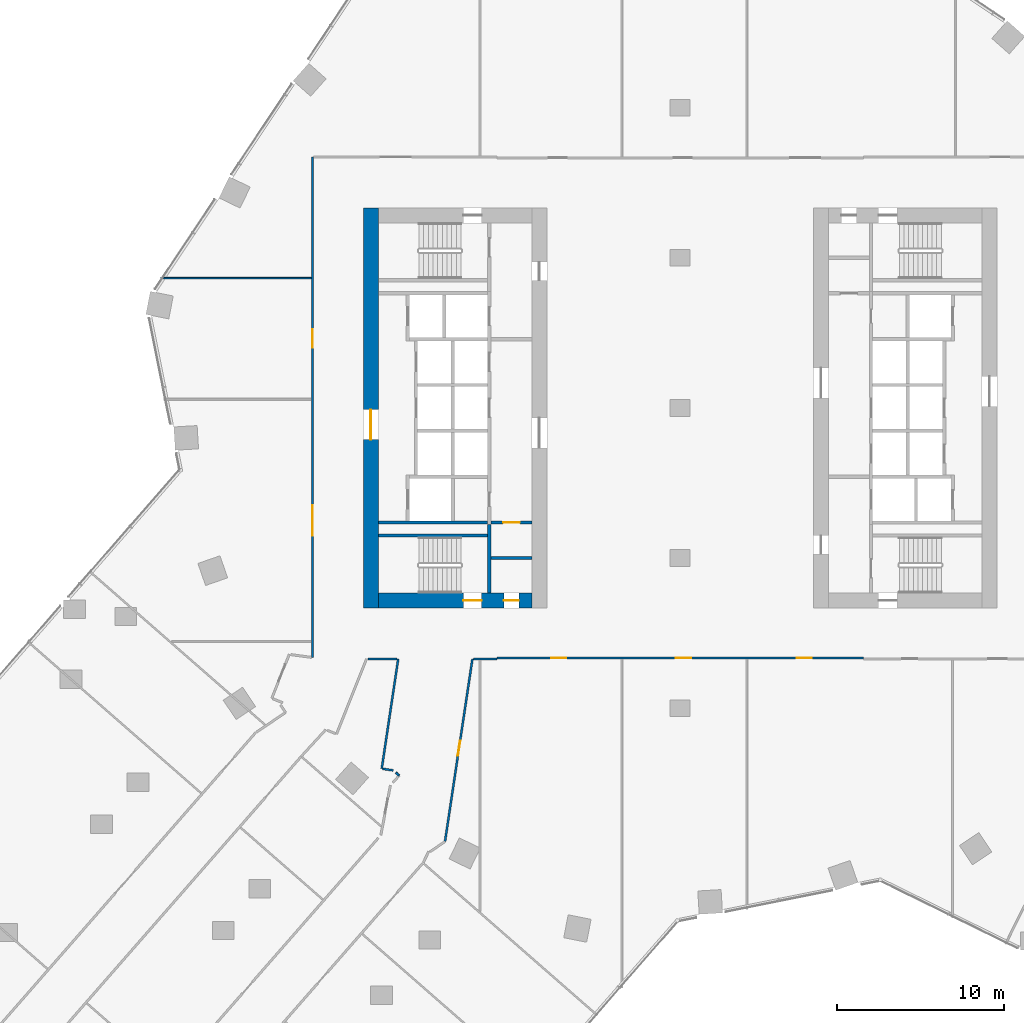
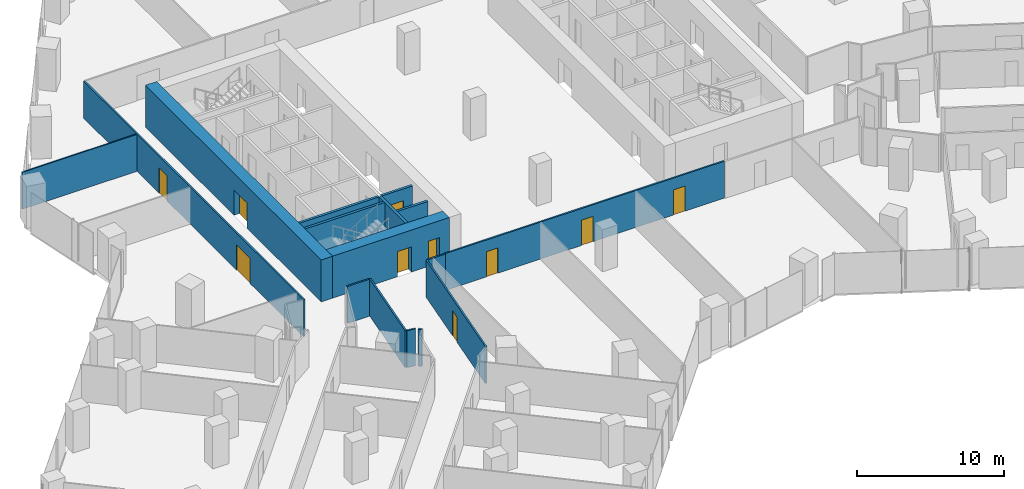
# One storey, part 27 of 38: 16 walls, 10 doors, 10 openings.
"""IFC4 building model written with IfcOpenShell, lengths in metres."""

import ifcopenshell
import ifcopenshell.guid

model = None  # the IFC model being written
_history = None  # IfcOwnerHistory: only IFC2X3 demands one
_inside = {}  # id of a spatial element -> (the spatial element, [elements in it])
_under = {}  # id of a project, library or spatial element -> (it, [spatial elements below it])
_declared = {}  # id of a project -> (the project, [libraries it declares])
_typed = {}  # id of a type object -> (the type object, [elements of that type])
_made_of = {}  # id of a material, layer set ... -> (it, [elements and type objects made of it])


def new_model(schema):
    """Start an empty IFC model of exactly this schema.

    Asked for "IFC4X3", IfcOpenShell would pick the latest addendum, in which some entities
    have other attributes; the version numbers below select the first issue.
    IFC2X3 requires an IfcOwnerHistory on every rooted entity: one is made here for all.
    """
    global model, _history
    if schema == "IFC4X3":
        model = ifcopenshell.file(schema_version=(4, 3, 0, 0))
    else:
        model = ifcopenshell.file(schema=schema)
    _inside.clear()
    _under.clear()
    _declared.clear()
    _typed.clear()
    _made_of.clear()
    _history = None
    if model.schema == "IFC2X3":
        org = make("IfcOrganization", Name="unknown")
        user = make(
            "IfcPersonAndOrganization",
            ThePerson=make("IfcPerson", FamilyName="unknown"),
            TheOrganization=org,
        )
        app = make(
            "IfcApplication",
            ApplicationDeveloper=org,
            Version="unknown",
            ApplicationFullName="unknown",
            ApplicationIdentifier="unknown",
        )
        _history = make(
            "IfcOwnerHistory",
            OwningUser=user,
            OwningApplication=app,
            ChangeAction="ADDED",
            CreationDate=0,
        )
    return model


def make(cls, **values):
    """One entity of the class cls with the attributes given. An attribute that is None is left unset."""
    return model.create_entity(
        cls, **{name: value for name, value in values.items() if value is not None}
    )


def rooted(cls, **values):
    """An entity with a GlobalId (a new one), such as an element, a storey or a relation."""
    return make(cls, GlobalId=ifcopenshell.guid.new(), OwnerHistory=_history, **values)


def si_unit(unit_type, name, prefix=None):
    """IfcSIUnit, for example si_unit("LENGTHUNIT", "METRE", prefix="MILLI")."""
    return make("IfcSIUnit", UnitType=unit_type, Prefix=prefix, Name=name)


def assignment(units):
    """IfcUnitAssignment: the units of a project."""
    return None if units is None else make("IfcUnitAssignment", Units=units)


def point(xyz):
    """IfcCartesianPoint."""
    return None if xyz is None else make("IfcCartesianPoint", Coordinates=xyz)


def direction(xyz):
    """IfcDirection."""
    return None if xyz is None else make("IfcDirection", DirectionRatios=xyz)


def frame(location, z_axis=None, x_axis=None):
    """IfcAxis2Placement3D, a coordinate frame: its origin and axes. An axis left out is left unset."""
    return make(
        "IfcAxis2Placement3D",
        Location=point(location),
        Axis=direction(z_axis),
        RefDirection=direction(x_axis),
    )


def frame_2d(location, x_axis=None):
    """IfcAxis2Placement2D, a coordinate frame in the plane: its origin and x axis."""
    return make(
        "IfcAxis2Placement2D", Location=point(location), RefDirection=direction(x_axis)
    )


def origin():
    """The frame at (0, 0, 0) with its axes left unset."""
    return frame((0.0, 0.0, 0.0))


def place(relative_to, where):
    """IfcLocalPlacement: puts the frame where relative to a parent placement (None: the world)."""
    return make(
        "IfcLocalPlacement", PlacementRelTo=relative_to, RelativePlacement=where
    )


def context(
    kind, dimensions, precision=None, world=None, true_north=None, identifier=None
):
    """IfcGeometricRepresentationContext, for example the 3D "Model" context."""
    return make(
        "IfcGeometricRepresentationContext",
        ContextIdentifier=identifier,
        ContextType=kind,
        CoordinateSpaceDimension=dimensions,
        Precision=precision,
        WorldCoordinateSystem=world,
        TrueNorth=true_north,
    )


def subcontext(parent, identifier, kind, view, scale=None):
    """IfcGeometricRepresentationSubContext, for example "Body" below "Model"."""
    return make(
        "IfcGeometricRepresentationSubContext",
        ContextIdentifier=identifier,
        ContextType=kind,
        ParentContext=parent,
        TargetScale=scale,
        TargetView=view,
    )


def project(units=None, contexts=None):
    """IfcProject with its units and contexts."""
    return rooted(
        "IfcProject",
        Name="project",
        RepresentationContexts=contexts,
        UnitsInContext=assignment(units),
    )


def spatial(cls, under=None, at=None, **own):
    """A site, building, storey or space (cls), placed at a placement, below another one or the project."""
    s = rooted(cls, ObjectPlacement=at, **own)
    if under is not None:
        _under.setdefault(under.id(), (under, []))[1].append(s)
    return s


def profile(cls, at=None, kind="AREA", **sizes):
    """A parametric profile (cls). Its sizes go by their IFC names, for example OverallWidth=200.0."""
    return make(cls, ProfileType=kind, Position=at, **sizes)


def rectangle(**sizes):
    """IfcRectangleProfileDef."""
    return profile("IfcRectangleProfileDef", **sizes)


def extrude(swept, where, along, depth):
    """IfcExtrudedAreaSolid: the profile swept, set in the frame where, extruded along a direction by depth."""
    return make(
        "IfcExtrudedAreaSolid",
        SweptArea=swept,
        Position=where,
        ExtrudedDirection=direction(along),
        Depth=depth,
    )


def shape(context_of_items, identifier, shape_type, items):
    """IfcShapeRepresentation: the items that make up one representation, for example the "Body"."""
    return make(
        "IfcShapeRepresentation",
        ContextOfItems=context_of_items,
        RepresentationIdentifier=identifier,
        RepresentationType=shape_type,
        Items=items,
    )


def material(Name=None, Category=None):
    """IfcMaterial."""
    return make("IfcMaterial", Name=Name, Category=Category)


def layer(
    of_material, thickness, ventilated=None, Name=None, Category=None, Priority=None
):
    """IfcMaterialLayer: one layer of a wall or slab, of a material (None: an air gap)."""
    return make(
        "IfcMaterialLayer",
        Material=of_material,
        LayerThickness=thickness,
        IsVentilated=ventilated,
        Name=Name,
        Category=Category,
        Priority=Priority,
    )


def layer_set(layers, Name=None):
    """IfcMaterialLayerSet."""
    return make("IfcMaterialLayerSet", MaterialLayers=layers, LayerSetName=Name)


def made_of(thing, what):
    """Note that an element or type object is made of a material, layer set ...; save() writes the relation."""
    if what is not None:
        _made_of.setdefault(what.id(), (what, []))[1].append(thing)
    return thing


def type_object(cls, material=None, **own):
    """A type object (cls), such as IfcWallType, which elements share."""
    return made_of(rooted(cls, **own), material)


def element(
    cls,
    number,
    at=None,
    inside=None,
    cuts=None,
    type_object=None,
    material=None,
    context=None,
    identifier="Body",
    shape_type=None,
    held_by="IfcProductDefinitionShape",
    body=None,
    shapes=None,
    **own,
):
    """One element of the class cls, such as IfcWall. Its Tag is "e" and its number.

    at: its placement. inside: the storey or other place that contains it. cuts: it is an
    opening in that element (IfcRelVoidsElement). A single representation is given by context,
    identifier, shape_type and body (its items); several are given by shapes. held_by: the class
    of the entity that holds the representations. save() writes the other relations.
    """
    e = rooted(cls, Tag="e%d" % number, ObjectPlacement=at, **own)
    if body is not None:
        shapes = [shape(context, identifier, shape_type, body)]
    if shapes is not None:
        e.Representation = make(held_by, Representations=shapes)
    if inside is not None:
        _inside.setdefault(inside.id(), (inside, []))[1].append(e)
    if cuts is not None:
        rooted(
            "IfcRelVoidsElement", RelatingBuildingElement=cuts, RelatedOpeningElement=e
        )
    if type_object is not None:
        _typed.setdefault(type_object.id(), (type_object, []))[1].append(e)
    return made_of(e, material)


def fill(opening, filler):
    """IfcRelFillsElement: the door or window that sits in an opening."""
    return rooted(
        "IfcRelFillsElement",
        RelatingOpeningElement=opening,
        RelatedBuildingElement=filler,
    )


def aggregate(whole, parts):
    """IfcRelAggregates: a whole, such as a stair, and the parts it consists of."""
    return rooted("IfcRelAggregates", RelatingObject=whole, RelatedObjects=parts)


def save(model, path):
    """Write the relations noted so far, then the file.

    IfcRelAggregates (storeys below a building ...), IfcRelContainedInSpatialStructure (elements
    in a storey), IfcRelDefinesByType, IfcRelAssociatesMaterial and IfcRelDeclares: one each for
    every whole, place, type object, material and project.
    """
    for whole, parts in _under.values():
        aggregate(whole, parts)
    for where, things in _inside.values():
        rooted(
            "IfcRelContainedInSpatialStructure",
            RelatedElements=things,
            RelatingStructure=where,
        )
    for kind, things in _typed.values():
        rooted("IfcRelDefinesByType", RelatedObjects=things, RelatingType=kind)
    for what, things in _made_of.values():
        rooted("IfcRelAssociatesMaterial", RelatedObjects=things, RelatingMaterial=what)
    for by, libraries in _declared.values():
        rooted("IfcRelDeclares", RelatingContext=by, RelatedDefinitions=libraries)
    model.write(path)


model = new_model("IFC4")

# Units and contexts
model_context = context("Model", 3, precision=1e-05, world=origin(), true_north=direction((0.0, 1.0)))
body_context = subcontext(model_context, "Body", "Model", "MODEL_VIEW")
ifc_project = project(units=[si_unit("LENGTHUNIT", "METRE"), si_unit("AREAUNIT", "SQUARE_METRE"), si_unit("VOLUMEUNIT", "CUBIC_METRE"), si_unit("PLANEANGLEUNIT", "RADIAN"), si_unit("MASSUNIT", "GRAM", prefix="KILO")], contexts=[model_context])

# Site, building, storey
site_placement = place(None, origin())
site = spatial("IfcSite", under=ifc_project, at=site_placement, CompositionType="ELEMENT")
building_placement = place(site_placement, origin())
building = spatial("IfcBuilding", under=site, at=building_placement, Name="Orlundy Tower", CompositionType="ELEMENT")
storey_placement = place(building_placement, frame((0.0, 0.0, 62.300048828125)))
storey = spatial("IfcBuildingStorey", under=building, at=storey_placement, Name="L14", CompositionType="ELEMENT", Elevation=62.300048828125)

# Wall, openings, doors
ifc_material_1 = material(Name="Concrete C80/95", Category="concrete")
ifc_layer_1 = layer(ifc_material_1, 0.89990234375)
ifc_layer_set_1 = layer_set([ifc_layer_1], Name="CORE WALL 900 C80/95")
wall_type_1 = type_object("IfcWallType", Name="CORE WALL 900 C80/95", PredefinedType="SHEAR", material=ifc_layer_set_1)
wall_1_placement = place(storey_placement, frame((-18.10009765625, -11.550048828125, 0.0), z_axis=(0.0, 0.0, 1.0), x_axis=(1.0, 0.0, 0.0)))
wall_1 = element("IfcWall", 1, at=wall_1_placement, inside=storey, type_object=wall_type_1, Name="Core wall W-S L14", PredefinedType="SHEAR", context=body_context, shape_type="SweptSolid", body=[
    extrude(rectangle(XDim=9.2001953125, YDim=0.89990234375, at=frame_2d((4.60009765625, 0.0))), origin(), (0.0, 0.0, 1.0), 3.5),
])
opening_1_placement = place(wall_1_placement, frame((5.10009765625, 0.0, 0.0)))
opening_1 = element("IfcOpeningElement", 2, at=opening_1_placement, cuts=wall_1, Name="Opening 13013", PredefinedType="OPENING", context=body_context, shape_type="SweptSolid", body=[
    extrude(rectangle(XDim=1.10009765625, YDim=2.10009765625, at=frame_2d((0.550048828125, 1.050048828125))), frame((0.0, 0.4599609375, 0.0), z_axis=(0.0, -1.0, 0.0), x_axis=(1.0, 0.0, 0.0)), (0.0, 0.0, 1.0), 0.919921875),
])
opening_2_placement = place(wall_1_placement, frame((7.530029296875, 0.0, 0.0)))
opening_2 = element("IfcOpeningElement", 3, at=opening_2_placement, cuts=wall_1, Name="Opening 13015", PredefinedType="OPENING", context=body_context, shape_type="SweptSolid", body=[
    extrude(rectangle(XDim=0.89990234375, YDim=2.10009765625, at=frame_2d((0.449951171875, 1.050048828125))), frame((0.0, 0.4599609375, 0.0), z_axis=(0.0, -1.0, 0.0), x_axis=(1.0, 0.0, 0.0)), (0.0, 0.0, 1.0), 0.919921875),
])
ifc_material_2 = material(Name="Timber door set", Category="wood")
door_type_1 = type_object("IfcDoorType", Name="Room Door 900x2100", OperationType="SINGLE_SWING_LEFT", PredefinedType="DOOR", material=ifc_material_2)
door_1_placement = place(opening_2_placement, origin())
door_1 = element("IfcDoor", 4, at=door_1_placement, inside=storey, type_object=door_type_1, Name="Store door 13015", OperationType="SINGLE_SWING_RIGHT", OverallHeight=2.10009765625, OverallWidth=0.89990234375, PredefinedType="DOOR", context=body_context, shape_type="SweptSolid", body=[
    extrude(rectangle(XDim=0.89990234375, YDim=2.10009765625, at=frame_2d((0.449951171875, 1.050048828125))), frame((0.0, 0.02490234375, 0.0), z_axis=(0.0, -1.0, 0.0), x_axis=(1.0, 0.0, 0.0)), (0.0, 0.0, 1.0), 0.050048828125),
])
fill(opening_2, door_1)
ifc_material_3 = material(Name="Steel door set", Category="steel")
door_type_2 = type_object("IfcDoorType", Name="Stair Door 1100x2100", OperationType="SINGLE_SWING_LEFT", PredefinedType="DOOR", material=ifc_material_3)
door_2_placement = place(opening_1_placement, origin())
door_2 = element("IfcDoor", 5, at=door_2_placement, inside=storey, type_object=door_type_2, Name="Stair door 13013", OperationType="SINGLE_SWING_RIGHT", OverallHeight=2.10009765625, OverallWidth=1.10009765625, PredefinedType="DOOR", context=body_context, shape_type="SweptSolid", body=[
    extrude(rectangle(XDim=1.10009765625, YDim=2.10009765625, at=frame_2d((0.550048828125, 1.050048828125))), frame((0.0, 0.02490234375, 0.0), z_axis=(0.0, -1.0, 0.0), x_axis=(1.0, 0.0, 0.0)), (0.0, 0.0, 1.0), 0.050048828125),
])
fill(opening_1, door_2)

# Wall, opening, door
wall_2_placement = place(storey_placement, frame((-18.550048828125, -12.0, 0.0), z_axis=(0.0, 0.0, 1.0), x_axis=(0.0, 1.0, 0.0)))
wall_2 = element("IfcWall", 6, at=wall_2_placement, inside=storey, type_object=wall_type_1, Name="Core wall W-W L14", PredefinedType="SHEAR", context=body_context, shape_type="SweptSolid", body=[
    extrude(rectangle(XDim=24.0, YDim=0.89990234375, at=frame_2d((12.0, 0.0))), origin(), (0.0, 0.0, 1.0), 3.5),
])
opening_3_placement = place(wall_2_placement, frame((10.10009765625, 0.0, 0.0)))
opening_3 = element("IfcOpeningElement", 7, at=opening_3_placement, cuts=wall_2, Name="Opening 13010", PredefinedType="OPENING", context=body_context, shape_type="SweptSolid", body=[
    extrude(rectangle(XDim=1.800048828125, YDim=2.10009765625, at=frame_2d((0.89990234375, 1.050048828125))), frame((0.0, 0.4599609375, 0.0), z_axis=(0.0, -1.0, 0.0), x_axis=(1.0, 0.0, 0.0)), (0.0, 0.0, 1.0), 0.919921875),
])
ifc_material_4 = material(Name="Timber door set", Category="wood")
door_type_3 = type_object("IfcDoorType", Name="Lobby Door 1800x2100", OperationType="DOUBLE_DOOR_DOUBLE_SWING", PredefinedType="DOOR", material=ifc_material_4)
door_3_placement = place(opening_3_placement, origin())
door_3 = element("IfcDoor", 8, at=door_3_placement, inside=storey, type_object=door_type_3, Name="Lift lobby door 13010", OperationType="SINGLE_SWING_LEFT", OverallHeight=2.10009765625, OverallWidth=1.800048828125, PredefinedType="DOOR", context=body_context, shape_type="SweptSolid", body=[
    extrude(rectangle(XDim=1.800048828125, YDim=2.10009765625, at=frame_2d((0.89990234375, 1.050048828125))), frame((0.0, 0.02490234375, 0.0), z_axis=(0.0, -1.0, 0.0), x_axis=(1.0, 0.0, 0.0)), (0.0, 0.0, 1.0), 0.050048828125),
])
fill(opening_3, door_3)

# Walls
ifc_material_5 = material(Name="Gypsum board partition")
ifc_layer_2 = layer(ifc_material_5, 0.10009765625)
ifc_layer_set_2 = layer_set([ifc_layer_2], Name="Floor partition 100")
wall_type_2 = type_object("IfcWallType", Name="Floor partition 100", PredefinedType="PARTITIONING", material=ifc_layer_set_2)
wall_3_placement = place(storey_placement, frame((-31.159912109375, 7.785888671875, 0.0), z_axis=(0.0, 0.0, 1.0), x_axis=(1.0, 0.0, 0.0)))
element("IfcWall", 9, at=wall_3_placement, inside=storey, type_object=wall_type_2, Name="wall-int-L14-048", PredefinedType="PARTITIONING", context=body_context, shape_type="SweptSolid", body=[
    extrude(rectangle(XDim=9.046875, YDim=0.10009765625, at=frame_2d((4.5234375, 0.0))), origin(), (0.0, 0.0, 1.0), 3.079833984375),
])
ifc_material_6 = material(Name="Gypsum board partition, double layer")
ifc_layer_3 = layer(ifc_material_6, 0.125)
ifc_layer_set_3 = layer_set([ifc_layer_3], Name="Floor partition 125")
wall_type_3 = type_object("IfcWallType", Name="Floor partition 125", PredefinedType="PARTITIONING", material=ifc_layer_set_3)
wall_4_placement = place(storey_placement, frame((-17.047119140625, -21.876953125, 0.0), z_axis=(0.0, 0.0, 1.0), x_axis=(0.748400306253, -0.663247300485, 0.0)))
element("IfcWall", 10, at=wall_4_placement, inside=storey, type_object=wall_type_3, Name="wall-int-L14-008", PredefinedType="PARTITIONING", context=body_context, shape_type="SweptSolid", body=[
    extrude(rectangle(XDim=0.258056640625, YDim=0.125, at=frame_2d((0.12890625, 0.0))), origin(), (0.0, 0.0, 1.0), 3.079833984375),
])
wall_5_placement = place(storey_placement, frame((-17.8349609375, -21.64306640625, 0.0), z_axis=(0.0, 0.0, 1.0), x_axis=(0.989048543556, -0.147590577236, 0.0)))
element("IfcWall", 11, at=wall_5_placement, inside=storey, type_object=wall_type_3, Name="wall-int-L14-036", PredefinedType="PARTITIONING", context=body_context, shape_type="SweptSolid", body=[
    extrude(rectangle(XDim=0.636962890625, YDim=0.125, at=frame_2d((0.318359375, 0.0))), origin(), (0.0, 0.0, 1.0), 3.079833984375),
])
wall_6_placement = place(storey_placement, frame((-18.718017578125, -15.051025390625, 0.0), z_axis=(0.0, 0.0, 1.0), x_axis=(1.0, 0.0, 0.0)))
element("IfcWall", 12, at=wall_6_placement, inside=storey, type_object=wall_type_3, Name="wall-int-L14-041", PredefinedType="PARTITIONING", context=body_context, shape_type="SweptSolid", body=[
    extrude(rectangle(XDim=1.7470703125, YDim=0.125, at=frame_2d((0.87353515625, 0.0))), origin(), (0.0, 0.0, 1.0), 3.079833984375),
])
wall_7_placement = place(storey_placement, frame((-12.39599609375, -15.051025390625, 0.0), z_axis=(0.0, 0.0, 1.0), x_axis=(1.0, 0.0, 0.0)))
element("IfcWall", 13, at=wall_7_placement, inside=storey, type_object=wall_type_3, Name="wall-int-L14-042", PredefinedType="PARTITIONING", context=body_context, shape_type="SweptSolid", body=[
    extrude(rectangle(XDim=1.405029296875, YDim=0.125, at=frame_2d((0.70263671875, 0.0))), origin(), (0.0, 0.0, 1.0), 3.079833984375),
])

# Wall, openings, doors
wall_8_placement = place(storey_placement, frame((10.989990234375, -15.0009765625, 0.0), z_axis=(0.0, 0.0, 1.0), x_axis=(-1.0, 0.0, 0.0)))
wall_8 = element("IfcWall", 14, at=wall_8_placement, inside=storey, type_object=wall_type_3, Name="wall-int-L14-044", PredefinedType="PARTITIONING", context=body_context, shape_type="SweptSolid", body=[
    extrude(rectangle(XDim=21.97998046875, YDim=0.125, at=frame_2d((10.989990234375, 0.0))), origin(), (0.0, 0.0, 1.0), 3.079833984375),
])
opening_4_placement = place(wall_8_placement, frame((17.833984375, 0.0, 0.0)))
opening_4 = element("IfcOpeningElement", 15, at=opening_4_placement, cuts=wall_8, Name="Opening 13127", PredefinedType="OPENING", context=body_context, shape_type="SweptSolid", body=[
    extrude(rectangle(XDim=0.89990234375, YDim=2.10009765625, at=frame_2d((0.449951171875, 1.050048828125))), frame((0.0, 0.072509765625, 0.0), z_axis=(0.0, -1.0, 0.0), x_axis=(1.0, 0.0, 0.0)), (0.0, 0.0, 1.0), 0.14501953125),
])
opening_5_placement = place(wall_8_placement, frame((10.340087890625, 0.0, 0.0)))
opening_5 = element("IfcOpeningElement", 16, at=opening_5_placement, cuts=wall_8, Name="Opening 13128", PredefinedType="OPENING", context=body_context, shape_type="SweptSolid", body=[
    extrude(rectangle(XDim=0.89990234375, YDim=2.10009765625, at=frame_2d((0.449951171875, 1.050048828125))), frame((0.0, 0.072509765625, 0.0), z_axis=(0.0, -1.0, 0.0), x_axis=(1.0, 0.0, 0.0)), (0.0, 0.0, 1.0), 0.14501953125),
])
opening_6_placement = place(wall_8_placement, frame((3.10009765625, 0.0, 0.0)))
opening_6 = element("IfcOpeningElement", 17, at=opening_6_placement, cuts=wall_8, Name="Opening 13129", PredefinedType="OPENING", context=body_context, shape_type="SweptSolid", body=[
    extrude(rectangle(XDim=0.89990234375, YDim=2.10009765625, at=frame_2d((0.449951171875, 1.050048828125))), frame((0.0, 0.072509765625, 0.0), z_axis=(0.0, -1.0, 0.0), x_axis=(1.0, 0.0, 0.0)), (0.0, 0.0, 1.0), 0.14501953125),
])
ifc_material_7 = material(Name="Timber door leaf", Category="wood")
door_type_4 = type_object("IfcDoorType", Name="Floor door single 900 FD30S", OperationType="NOTDEFINED", PredefinedType="DOOR", material=ifc_material_7)
door_4_placement = place(opening_4_placement, origin())
door_4 = element("IfcDoor", 18, at=door_4_placement, inside=storey, type_object=door_type_4, Name="Door 13127", OperationType="SINGLE_SWING_RIGHT", OverallHeight=2.10009765625, OverallWidth=0.89990234375, PredefinedType="DOOR", context=body_context, shape_type="SweptSolid", body=[
    extrude(rectangle(XDim=0.89990234375, YDim=2.10009765625, at=frame_2d((0.449951171875, 1.050048828125))), frame((0.0, 0.02490234375, 0.0), z_axis=(0.0, -1.0, 0.0), x_axis=(1.0, 0.0, 0.0)), (0.0, 0.0, 1.0), 0.050048828125),
])
fill(opening_4, door_4)
door_5_placement = place(opening_5_placement, origin())
door_5 = element("IfcDoor", 19, at=door_5_placement, inside=storey, type_object=door_type_4, Name="Door 13128", OperationType="SINGLE_SWING_LEFT", OverallHeight=2.10009765625, OverallWidth=0.89990234375, PredefinedType="DOOR", context=body_context, shape_type="SweptSolid", body=[
    extrude(rectangle(XDim=0.89990234375, YDim=2.10009765625, at=frame_2d((0.449951171875, 1.050048828125))), frame((0.0, 0.02490234375, 0.0), z_axis=(0.0, -1.0, 0.0), x_axis=(1.0, 0.0, 0.0)), (0.0, 0.0, 1.0), 0.050048828125),
])
fill(opening_5, door_5)
door_6_placement = place(opening_6_placement, origin())
door_6 = element("IfcDoor", 20, at=door_6_placement, inside=storey, type_object=door_type_4, Name="Door 13129", OperationType="SINGLE_SWING_LEFT", OverallHeight=2.10009765625, OverallWidth=0.89990234375, PredefinedType="DOOR", context=body_context, shape_type="SweptSolid", body=[
    extrude(rectangle(XDim=0.89990234375, YDim=2.10009765625, at=frame_2d((0.449951171875, 1.050048828125))), frame((0.0, 0.02490234375, 0.0), z_axis=(0.0, -1.0, 0.0), x_axis=(1.0, 0.0, 0.0)), (0.0, 0.0, 1.0), 0.050048828125),
])
fill(opening_6, door_6)

# Wall
wall_9_placement = place(storey_placement, frame((-16.908935546875, -15.051025390625, 0.0), z_axis=(0.0, 0.0, 1.0), x_axis=(-0.148448073616, -0.988920203778, 0.0)))
element("IfcWall", 21, at=wall_9_placement, inside=storey, type_object=wall_type_3, Name="wall-int-L14-084", PredefinedType="PARTITIONING", context=body_context, shape_type="SweptSolid", body=[
    extrude(rectangle(XDim=6.65576171875, YDim=0.125, at=frame_2d((3.327880859375, 0.0))), origin(), (0.0, 0.0, 1.0), 3.079833984375),
])

# Wall, opening, door
wall_10_placement = place(storey_placement, frame((-12.4580078125, -15.051025390625, 0.0), z_axis=(0.0, 0.0, 1.0), x_axis=(-0.148482692609, -0.988915006457, 0.0)))
wall_10 = element("IfcWall", 22, at=wall_10_placement, inside=storey, type_object=wall_type_3, Name="wall-int-L14-085", PredefinedType="PARTITIONING", context=body_context, shape_type="SweptSolid", body=[
    extrude(rectangle(XDim=11.078857421875, YDim=0.125, at=frame_2d((5.53955078125, 0.0))), origin(), (0.0, 0.0, 1.0), 3.079833984375),
])
opening_7_placement = place(wall_10_placement, frame((4.9638671875, 0.0, 0.0)))
opening_7 = element("IfcOpeningElement", 23, at=opening_7_placement, cuts=wall_10, Name="Opening 13126", PredefinedType="OPENING", context=body_context, shape_type="SweptSolid", body=[
    extrude(rectangle(XDim=0.89990234375, YDim=2.10009765625, at=frame_2d((0.449951171875, 1.050048828125))), frame((0.0, 0.072509765625, 0.0), z_axis=(0.0, -1.0, 0.0), x_axis=(1.0, 0.0, 0.0)), (0.0, 0.0, 1.0), 0.14501953125),
])
door_7_placement = place(opening_7_placement, origin())
door_7 = element("IfcDoor", 24, at=door_7_placement, inside=storey, type_object=door_type_4, Name="Door 13126", OperationType="SINGLE_SWING_LEFT", OverallHeight=2.10009765625, OverallWidth=0.89990234375, PredefinedType="DOOR", context=body_context, shape_type="SweptSolid", body=[
    extrude(rectangle(XDim=0.89990234375, YDim=2.10009765625, at=frame_2d((0.449951171875, 1.050048828125))), frame((0.0, 0.02490234375, 0.0), z_axis=(0.0, -1.0, 0.0), x_axis=(1.0, 0.0, 0.0)), (0.0, 0.0, 1.0), 0.050048828125),
])
fill(opening_7, door_7)

# Wall, openings, doors
wall_11_placement = place(storey_placement, frame((-22.050048828125, -14.967041015625, 0.0), z_axis=(0.0, 0.0, 1.0), x_axis=(0.0, 1.0, 0.0)))
wall_11 = element("IfcWall", 25, at=wall_11_placement, inside=storey, type_object=wall_type_3, Name="wall-int-L14-096", PredefinedType="PARTITIONING", context=body_context, shape_type="SweptSolid", body=[
    extrude(rectangle(XDim=30.01806640625, YDim=0.125, at=frame_2d((15.009033203125, 0.0))), origin(), (0.0, 0.0, 1.0), 3.079833984375),
])
opening_8_placement = place(wall_11_placement, frame((7.31689453125, 0.0, 0.0)))
opening_8 = element("IfcOpeningElement", 26, at=opening_8_placement, cuts=wall_11, Name="Opening 13123", PredefinedType="OPENING", context=body_context, shape_type="SweptSolid", body=[
    extrude(rectangle(XDim=1.800048828125, YDim=2.10009765625, at=frame_2d((0.89990234375, 1.050048828125))), frame((0.0, 0.072509765625, 0.0), z_axis=(0.0, -1.0, 0.0), x_axis=(1.0, 0.0, 0.0)), (0.0, 0.0, 1.0), 0.14501953125),
])
opening_9_placement = place(wall_11_placement, frame((18.591064453125, 0.0, 0.0)))
opening_9 = element("IfcOpeningElement", 27, at=opening_9_placement, cuts=wall_11, Name="Opening 13140", PredefinedType="OPENING", context=body_context, shape_type="SweptSolid", body=[
    extrude(rectangle(XDim=1.10009765625, YDim=2.10009765625, at=frame_2d((0.550048828125, 1.050048828125))), frame((0.0, 0.072509765625, 0.0), z_axis=(0.0, -1.0, 0.0), x_axis=(1.0, 0.0, 0.0)), (0.0, 0.0, 1.0), 0.14501953125),
])
ifc_material_8 = material(Name="Timber door leaf", Category="wood")
door_type_5 = type_object("IfcDoorType", Name="Floor door double 1800 FD30S", OperationType="NOTDEFINED", PredefinedType="DOOR", material=ifc_material_8)
door_8_placement = place(opening_8_placement, origin())
door_8 = element("IfcDoor", 28, at=door_8_placement, inside=storey, type_object=door_type_5, Name="Door 13123", OperationType="DOUBLE_DOOR_SINGLE_SWING", OverallHeight=2.10009765625, OverallWidth=1.800048828125, PredefinedType="DOOR", context=body_context, shape_type="SweptSolid", body=[
    extrude(rectangle(XDim=1.800048828125, YDim=2.10009765625, at=frame_2d((0.89990234375, 1.050048828125))), frame((0.0, 0.02490234375, 0.0), z_axis=(0.0, -1.0, 0.0), x_axis=(1.0, 0.0, 0.0)), (0.0, 0.0, 1.0), 0.050048828125),
])
fill(opening_8, door_8)
ifc_material_9 = material(Name="Timber door leaf", Category="wood")
door_type_6 = type_object("IfcDoorType", Name="Floor door xwide 1100 FD30S", OperationType="NOTDEFINED", PredefinedType="DOOR", material=ifc_material_9)
door_9_placement = place(opening_9_placement, origin())
door_9 = element("IfcDoor", 29, at=door_9_placement, inside=storey, type_object=door_type_6, Name="Door 13140", OperationType="SINGLE_SWING_RIGHT", OverallHeight=2.10009765625, OverallWidth=1.10009765625, PredefinedType="DOOR", context=body_context, shape_type="SweptSolid", body=[
    extrude(rectangle(XDim=1.10009765625, YDim=2.10009765625, at=frame_2d((0.550048828125, 1.050048828125))), frame((0.0, 0.02490234375, 0.0), z_axis=(0.0, -1.0, 0.0), x_axis=(1.0, 0.0, 0.0)), (0.0, 0.0, 1.0), 0.050048828125),
])
fill(opening_9, door_9)

# Walls
ifc_material_10 = material(Name="Concrete C40/50", Category="concrete")
ifc_layer_4 = layer(ifc_material_10, 0.199951171875)
ifc_layer_set_4 = layer_set([ifc_layer_4], Name="Load-bearing Shaft Wall 200")
wall_type_4 = type_object("IfcWallType", Name="Load-bearing Shaft Wall 200", PredefinedType="SOLIDWALL", material=ifc_layer_set_4)
wall_12_placement = place(storey_placement, frame((-11.43994140625, -11.10009765625, 0.0), z_axis=(0.0, 0.0, 1.0), x_axis=(0.0, 1.0, 0.0)))
element("IfcWall", 30, at=wall_12_placement, inside=storey, type_object=wall_type_4, Name="Shaft wall W13-stair-end-s", PredefinedType="SOLIDWALL", context=body_context, shape_type="SweptSolid", body=[
    extrude(rectangle(XDim=4.125, YDim=0.199951171875, at=frame_2d((2.0625, 0.0))), origin(), (0.0, 0.0, 1.0), 3.08984375),
])
wall_13_placement = place(storey_placement, frame((-11.5400390625, -7.64990234375, 0.0), z_axis=(0.0, 0.0, 1.0), x_axis=(-1.0, 0.0, 0.0)))
element("IfcWall", 31, at=wall_13_placement, inside=storey, type_object=wall_type_4, Name="Shaft wall W13-stair-side-s", PredefinedType="SOLIDWALL", context=body_context, shape_type="SweptSolid", body=[
    extrude(rectangle(XDim=6.56005859375, YDim=0.199951171875, at=frame_2d((3.280029296875, 0.0))), origin(), (0.0, 0.0, 1.0), 3.08984375),
])

# Wall, opening, door
ifc_material_11 = material(Name="Gypsum board partition on steel studs", Category="steel")
ifc_layer_5 = layer(ifc_material_11, 0.199951171875)
ifc_layer_set_5 = layer_set([ifc_layer_5], Name="Partition 200")
wall_type_5 = type_object("IfcWallType", Name="Partition 200", PredefinedType="PARTITIONING", material=ifc_layer_set_5)
wall_14_placement = place(storey_placement, frame((-8.89990234375, -6.875, 0.0), z_axis=(0.0, 0.0, 1.0), x_axis=(-1.0, 0.0, 0.0)))
wall_14 = element("IfcWall", 32, at=wall_14_placement, inside=storey, type_object=wall_type_5, Name="Partition wall W13-end-s", PredefinedType="PARTITIONING", context=body_context, shape_type="SweptSolid", body=[
    extrude(rectangle(XDim=2.440185546875, YDim=0.199951171875, at=frame_2d((1.22021484375, 0.0))), origin(), (0.0, 0.0, 1.0), 3.08984375),
])
opening_10_placement = place(wall_14_placement, frame((0.719970703125, 0.0, 0.0)))
opening_10 = element("IfcOpeningElement", 33, at=opening_10_placement, cuts=wall_14, Name="Opening 13016", PredefinedType="OPENING", context=body_context, shape_type="SweptSolid", body=[
    extrude(rectangle(XDim=1.0, YDim=2.10009765625, at=frame_2d((0.5, 1.050048828125))), frame((0.0, 0.110107421875, 0.0), z_axis=(0.0, -1.0, 0.0), x_axis=(1.0, 0.0, 0.0)), (0.0, 0.0, 1.0), 0.22021484375),
])
ifc_material_12 = material(Name="Timber door set", Category="wood")
door_type_7 = type_object("IfcDoorType", Name="Accessible Door 1000x2100", OperationType="SINGLE_SWING_LEFT", PredefinedType="DOOR", material=ifc_material_12)
door_10_placement = place(opening_10_placement, origin())
door_10 = element("IfcDoor", 34, at=door_10_placement, inside=storey, type_object=door_type_7, Name="Accessible WC door 13016", OperationType="SINGLE_SWING_RIGHT", OverallHeight=2.10009765625, OverallWidth=1.0, PredefinedType="DOOR", context=body_context, shape_type="SweptSolid", body=[
    extrude(rectangle(XDim=1.0, YDim=2.10009765625, at=frame_2d((0.5, 1.050048828125))), frame((0.0, 0.02490234375, 0.0), z_axis=(0.0, -1.0, 0.0), x_axis=(1.0, 0.0, 0.0)), (0.0, 0.0, 1.0), 0.050048828125),
])
fill(opening_10, door_10)

# Walls
wall_15_placement = place(storey_placement, frame((-8.89990234375, -9.0, 0.0), z_axis=(0.0, 0.0, 1.0), x_axis=(-1.0, 0.0, 0.0)))
element("IfcWall", 35, at=wall_15_placement, inside=storey, type_object=wall_type_5, Name="Partition wall W13-room-s0", PredefinedType="PARTITIONING", context=body_context, shape_type="SweptSolid", body=[
    extrude(rectangle(XDim=2.440185546875, YDim=0.199951171875, at=frame_2d((1.22021484375, 0.0))), origin(), (0.0, 0.0, 1.0), 3.08984375),
])
ifc_material_13 = material(Name="Fire-rated blockwork shaft wall", Category="masonry")
ifc_layer_6 = layer(ifc_material_13, 0.199951171875)
ifc_layer_set_6 = layer_set([ifc_layer_6], Name="Shaft Wall 200")
wall_type_6 = type_object("IfcWallType", Name="Shaft Wall 200", PredefinedType="SOLIDWALL", material=ifc_layer_set_6)
wall_16_placement = place(storey_placement, frame((-11.5400390625, -6.875, 0.0), z_axis=(0.0, 0.0, 1.0), x_axis=(-1.0, 0.0, 0.0)))
element("IfcWall", 36, at=wall_16_placement, inside=storey, type_object=wall_type_6, Name="Shaft wall W13-zone-s", PredefinedType="SOLIDWALL", context=body_context, shape_type="SweptSolid", body=[
    extrude(rectangle(XDim=6.56005859375, YDim=0.199951171875, at=frame_2d((3.280029296875, 0.0))), origin(), (0.0, 0.0, 1.0), 3.08984375),
])

save(model, "model.ifc")
